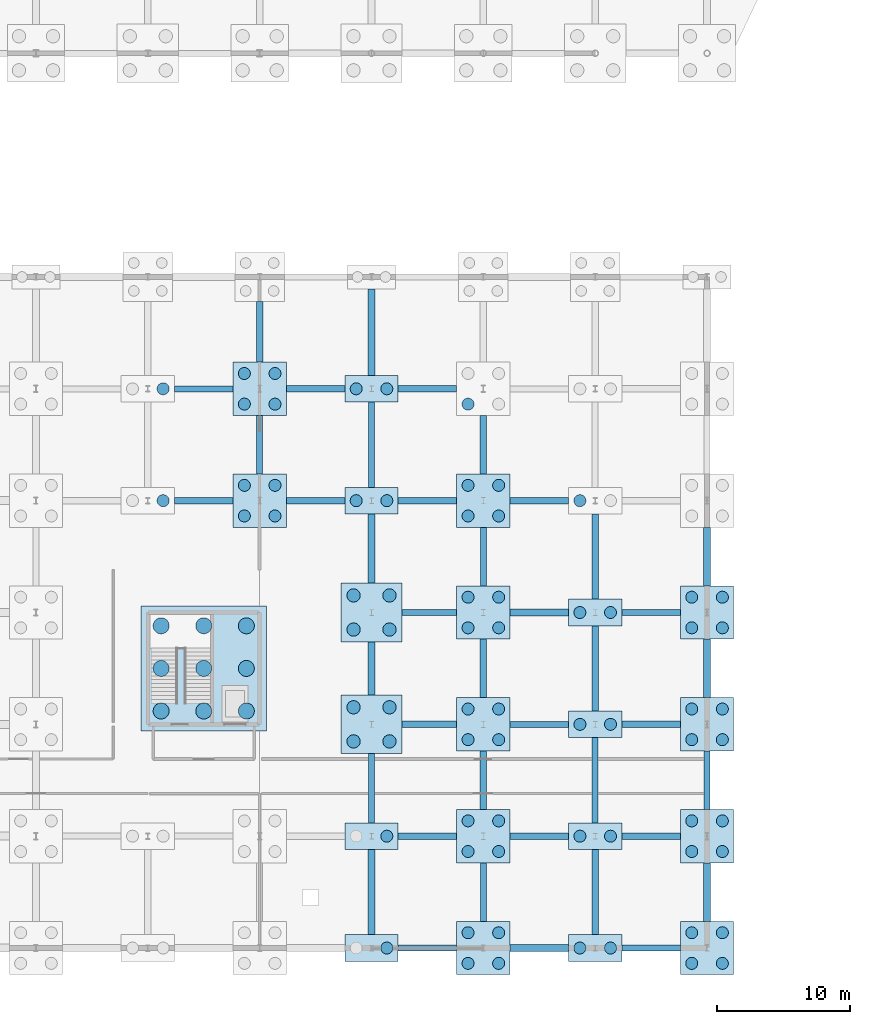
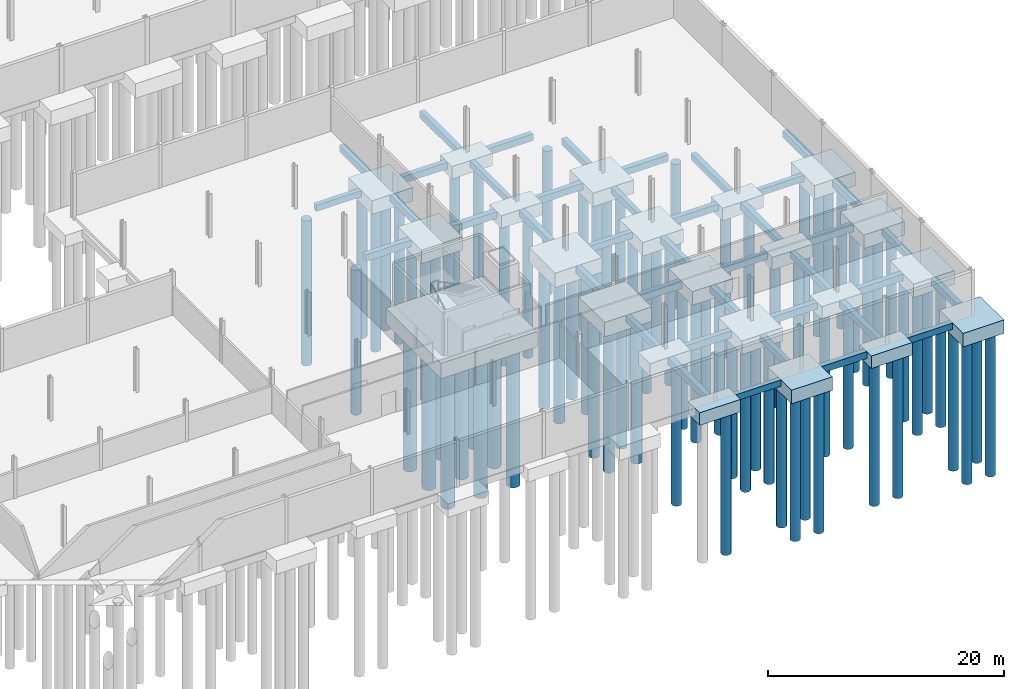
# One storey, part 9 of 51: 79 piles, 62 footings.
"""IFC4 building model written with IfcOpenShell, lengths in metres."""

import ifcopenshell
import ifcopenshell.guid

model = None  # the IFC model being written
_history = None  # IfcOwnerHistory: only IFC2X3 demands one
_inside = {}  # id of a spatial element -> (the spatial element, [elements in it])
_under = {}  # id of a project, library or spatial element -> (it, [spatial elements below it])
_declared = {}  # id of a project -> (the project, [libraries it declares])
_typed = {}  # id of a type object -> (the type object, [elements of that type])
_made_of = {}  # id of a material, layer set ... -> (it, [elements and type objects made of it])


def new_model(schema):
    """Start an empty IFC model of exactly this schema.

    Asked for "IFC4X3", IfcOpenShell would pick the latest addendum, in which some entities
    have other attributes; the version numbers below select the first issue.
    IFC2X3 requires an IfcOwnerHistory on every rooted entity: one is made here for all.
    """
    global model, _history
    if schema == "IFC4X3":
        model = ifcopenshell.file(schema_version=(4, 3, 0, 0))
    else:
        model = ifcopenshell.file(schema=schema)
    _inside.clear()
    _under.clear()
    _declared.clear()
    _typed.clear()
    _made_of.clear()
    _history = None
    if model.schema == "IFC2X3":
        org = make("IfcOrganization", Name="unknown")
        user = make(
            "IfcPersonAndOrganization",
            ThePerson=make("IfcPerson", FamilyName="unknown"),
            TheOrganization=org,
        )
        app = make(
            "IfcApplication",
            ApplicationDeveloper=org,
            Version="unknown",
            ApplicationFullName="unknown",
            ApplicationIdentifier="unknown",
        )
        _history = make(
            "IfcOwnerHistory",
            OwningUser=user,
            OwningApplication=app,
            ChangeAction="ADDED",
            CreationDate=0,
        )
    return model


def make(cls, **values):
    """One entity of the class cls with the attributes given. An attribute that is None is left unset."""
    return model.create_entity(
        cls, **{name: value for name, value in values.items() if value is not None}
    )


def rooted(cls, **values):
    """An entity with a GlobalId (a new one), such as an element, a storey or a relation."""
    return make(cls, GlobalId=ifcopenshell.guid.new(), OwnerHistory=_history, **values)


def si_unit(unit_type, name, prefix=None):
    """IfcSIUnit, for example si_unit("LENGTHUNIT", "METRE", prefix="MILLI")."""
    return make("IfcSIUnit", UnitType=unit_type, Prefix=prefix, Name=name)


def assignment(units):
    """IfcUnitAssignment: the units of a project."""
    return None if units is None else make("IfcUnitAssignment", Units=units)


def point(xyz):
    """IfcCartesianPoint."""
    return None if xyz is None else make("IfcCartesianPoint", Coordinates=xyz)


def direction(xyz):
    """IfcDirection."""
    return None if xyz is None else make("IfcDirection", DirectionRatios=xyz)


def frame(location, z_axis=None, x_axis=None):
    """IfcAxis2Placement3D, a coordinate frame: its origin and axes. An axis left out is left unset."""
    return make(
        "IfcAxis2Placement3D",
        Location=point(location),
        Axis=direction(z_axis),
        RefDirection=direction(x_axis),
    )


def frame_2d(location, x_axis=None):
    """IfcAxis2Placement2D, a coordinate frame in the plane: its origin and x axis."""
    return make(
        "IfcAxis2Placement2D", Location=point(location), RefDirection=direction(x_axis)
    )


def origin():
    """The frame at (0, 0, 0) with its axes left unset."""
    return frame((0.0, 0.0, 0.0))


def origin_2d():
    """The frame at (0, 0) in the plane with its x axis left unset."""
    return frame_2d((0.0, 0.0))


def place(relative_to, where):
    """IfcLocalPlacement: puts the frame where relative to a parent placement (None: the world)."""
    return make(
        "IfcLocalPlacement", PlacementRelTo=relative_to, RelativePlacement=where
    )


def context(
    kind, dimensions, precision=None, world=None, true_north=None, identifier=None
):
    """IfcGeometricRepresentationContext, for example the 3D "Model" context."""
    return make(
        "IfcGeometricRepresentationContext",
        ContextIdentifier=identifier,
        ContextType=kind,
        CoordinateSpaceDimension=dimensions,
        Precision=precision,
        WorldCoordinateSystem=world,
        TrueNorth=true_north,
    )


def subcontext(parent, identifier, kind, view, scale=None):
    """IfcGeometricRepresentationSubContext, for example "Body" below "Model"."""
    return make(
        "IfcGeometricRepresentationSubContext",
        ContextIdentifier=identifier,
        ContextType=kind,
        ParentContext=parent,
        TargetScale=scale,
        TargetView=view,
    )


def project(units=None, contexts=None):
    """IfcProject with its units and contexts."""
    return rooted(
        "IfcProject",
        Name="project",
        RepresentationContexts=contexts,
        UnitsInContext=assignment(units),
    )


def spatial(cls, under=None, at=None, **own):
    """A site, building, storey or space (cls), placed at a placement, below another one or the project."""
    s = rooted(cls, ObjectPlacement=at, **own)
    if under is not None:
        _under.setdefault(under.id(), (under, []))[1].append(s)
    return s


def profile(cls, at=None, kind="AREA", **sizes):
    """A parametric profile (cls). Its sizes go by their IFC names, for example OverallWidth=200.0."""
    return make(cls, ProfileType=kind, Position=at, **sizes)


def rectangle(**sizes):
    """IfcRectangleProfileDef."""
    return profile("IfcRectangleProfileDef", **sizes)


def circle(**sizes):
    """IfcCircleProfileDef."""
    return profile("IfcCircleProfileDef", **sizes)


def extrude(swept, where, along, depth):
    """IfcExtrudedAreaSolid: the profile swept, set in the frame where, extruded along a direction by depth."""
    return make(
        "IfcExtrudedAreaSolid",
        SweptArea=swept,
        Position=where,
        ExtrudedDirection=direction(along),
        Depth=depth,
    )


def shape(context_of_items, identifier, shape_type, items):
    """IfcShapeRepresentation: the items that make up one representation, for example the "Body"."""
    return make(
        "IfcShapeRepresentation",
        ContextOfItems=context_of_items,
        RepresentationIdentifier=identifier,
        RepresentationType=shape_type,
        Items=items,
    )


def material(Name=None, Category=None):
    """IfcMaterial."""
    return make("IfcMaterial", Name=Name, Category=Category)


def material_profile(
    of_material, cross_section, Name=None, Category=None, Priority=None
):
    """IfcMaterialProfile: a cross section and its material."""
    return make(
        "IfcMaterialProfile",
        Name=Name,
        Material=of_material,
        Profile=cross_section,
        Priority=Priority,
        Category=Category,
    )


def profile_set(profiles, Name=None, composite=None):
    """IfcMaterialProfileSet."""
    return make(
        "IfcMaterialProfileSet",
        Name=Name,
        MaterialProfiles=profiles,
        CompositeProfile=composite,
    )


def made_of(thing, what):
    """Note that an element or type object is made of a material, layer set ...; save() writes the relation."""
    if what is not None:
        _made_of.setdefault(what.id(), (what, []))[1].append(thing)
    return thing


def type_object(cls, material=None, **own):
    """A type object (cls), such as IfcWallType, which elements share."""
    return made_of(rooted(cls, **own), material)


def element(
    cls,
    number,
    at=None,
    inside=None,
    cuts=None,
    type_object=None,
    material=None,
    context=None,
    identifier="Body",
    shape_type=None,
    held_by="IfcProductDefinitionShape",
    body=None,
    shapes=None,
    **own,
):
    """One element of the class cls, such as IfcWall. Its Tag is "e" and its number.

    at: its placement. inside: the storey or other place that contains it. cuts: it is an
    opening in that element (IfcRelVoidsElement). A single representation is given by context,
    identifier, shape_type and body (its items); several are given by shapes. held_by: the class
    of the entity that holds the representations. save() writes the other relations.
    """
    e = rooted(cls, Tag="e%d" % number, ObjectPlacement=at, **own)
    if body is not None:
        shapes = [shape(context, identifier, shape_type, body)]
    if shapes is not None:
        e.Representation = make(held_by, Representations=shapes)
    if inside is not None:
        _inside.setdefault(inside.id(), (inside, []))[1].append(e)
    if cuts is not None:
        rooted(
            "IfcRelVoidsElement", RelatingBuildingElement=cuts, RelatedOpeningElement=e
        )
    if type_object is not None:
        _typed.setdefault(type_object.id(), (type_object, []))[1].append(e)
    return made_of(e, material)


def aggregate(whole, parts):
    """IfcRelAggregates: a whole, such as a stair, and the parts it consists of."""
    return rooted("IfcRelAggregates", RelatingObject=whole, RelatedObjects=parts)


def save(model, path):
    """Write the relations noted so far, then the file.

    IfcRelAggregates (storeys below a building ...), IfcRelContainedInSpatialStructure (elements
    in a storey), IfcRelDefinesByType, IfcRelAssociatesMaterial and IfcRelDeclares: one each for
    every whole, place, type object, material and project.
    """
    for whole, parts in _under.values():
        aggregate(whole, parts)
    for where, things in _inside.values():
        rooted(
            "IfcRelContainedInSpatialStructure",
            RelatedElements=things,
            RelatingStructure=where,
        )
    for kind, things in _typed.values():
        rooted("IfcRelDefinesByType", RelatedObjects=things, RelatingType=kind)
    for what, things in _made_of.values():
        rooted("IfcRelAssociatesMaterial", RelatedObjects=things, RelatingMaterial=what)
    for by, libraries in _declared.values():
        rooted("IfcRelDeclares", RelatingContext=by, RelatedDefinitions=libraries)
    model.write(path)


model = new_model("IFC4")

# Units and contexts
model_context = context("Model", 3, precision=1e-05, world=origin(), true_north=direction((0.0, 1.0)))
body_context = subcontext(model_context, "Body", "Model", "MODEL_VIEW")
ifc_project = project(units=[si_unit("LENGTHUNIT", "METRE"), si_unit("AREAUNIT", "SQUARE_METRE"), si_unit("VOLUMEUNIT", "CUBIC_METRE"), si_unit("PLANEANGLEUNIT", "RADIAN"), si_unit("MASSUNIT", "GRAM", prefix="KILO")], contexts=[model_context])

# Site, building, storey
site_placement = place(None, origin())
site = spatial("IfcSite", under=ifc_project, at=site_placement, CompositionType="ELEMENT")
building_placement = place(site_placement, origin())
building = spatial("IfcBuilding", under=site, at=building_placement, Name="Qalvenar Corner Mobility Hub", CompositionType="ELEMENT")
storey_placement = place(building_placement, frame((0.0, 0.0, -4.5)))
storey = spatial("IfcBuildingStorey", under=building, at=storey_placement, Name="B1", CompositionType="ELEMENT", Elevation=-4.5)

# Footings
ifc_material = material(Name="Concrete C40/50", Category="concrete")
footing_type_1 = type_object("IfcFootingType", Name="PC-32X24X13", PredefinedType="PILE_CAP", material=ifc_material)
for number, where, z_axis, x_axis, name in (
    (1, (142.800048828125, 0.0, -1.64990234375), (0.0, 0.0, 1.0), (1.0, 0.0, 0.0), "Pile Cap G18-0"),
    (2, (142.800048828125, 8.39990234375, -1.64990234375), (0.0, 0.0, 1.0), (1.0, 0.0, 0.0), "Pile Cap G18-1"),
    (3, (142.800048828125, 33.60009765625, -1.64990234375), (0.0, 0.0, 1.0), (1.0, 0.0, 0.0), "Pile Cap G18-4"),
    (4, (142.800048828125, 42.0, -1.64990234375), (0.0, 0.0, 1.0), (1.0, 0.0, 0.0), "Pile Cap G18-5"),
    (5, (159.60009765625, 0.0, -1.64990234375), (0.0, 0.0, 1.0), (1.0, 0.0, 0.0), "Pile Cap G20-0"),
    (6, (159.60009765625, 8.39990234375, -1.64990234375), (0.0, 0.0, 1.0), (1.0, 0.0, 0.0), "Pile Cap G20-1"),
    (7, (159.60009765625, 16.800048828125, -1.64990234375), (0.0, 0.0, 1.0), (1.0, 0.0, 0.0), "Pile Cap G20-2"),
    (8, (159.60009765625, 25.199951171875, -1.64990234375), (0.0, 0.0, 1.0), (1.0, 0.0, 0.0), "Pile Cap G20-3"),
):
    element("IfcFooting", number, at=place(storey_placement, frame(where, z_axis=z_axis, x_axis=x_axis)), inside=storey, type_object=footing_type_1, Name=name, PredefinedType="PILE_CAP", context=body_context, shape_type="SweptSolid", body=[
        extrude(rectangle(XDim=4.0, YDim=2.0, at=origin_2d()), origin(), (0.0, 0.0, 1.0), 1.300048828125),
    ])
footing_type_2 = type_object("IfcFootingType", Name="PC-34X34X14", PredefinedType="PILE_CAP", material=ifc_material)
for number, where, z_axis, x_axis, name in (
    (9, (134.39990234375, 33.60009765625, -1.75), (0.0, 0.0, 1.0), (1.0, 0.0, 0.0), "Pile Cap G17-4"),
    (10, (134.39990234375, 42.0, -1.75), (0.0, 0.0, 1.0), (1.0, 0.0, 0.0), "Pile Cap G17-5"),
    (11, (151.199951171875, 0.0, -1.75), (0.0, 0.0, 1.0), (1.0, 0.0, 0.0), "Pile Cap G19-0"),
    (12, (151.199951171875, 8.39990234375, -1.75), (0.0, 0.0, 1.0), (1.0, 0.0, 0.0), "Pile Cap G19-1"),
    (13, (151.199951171875, 16.800048828125, -1.75), (0.0, 0.0, 1.0), (1.0, 0.0, 0.0), "Pile Cap G19-2"),
    (14, (151.199951171875, 25.199951171875, -1.75), (0.0, 0.0, 1.0), (1.0, 0.0, 0.0), "Pile Cap G19-3"),
    (15, (151.199951171875, 33.60009765625, -1.75), (0.0, 0.0, 1.0), (1.0, 0.0, 0.0), "Pile Cap G19-4"),
    (16, (168.0, 0.0, -1.75), (0.0, 0.0, 1.0), (1.0, 0.0, 0.0), "Pile Cap G21-0"),
    (17, (168.0, 8.39990234375, -1.75), (0.0, 0.0, 1.0), (1.0, 0.0, 0.0), "Pile Cap G21-1"),
    (18, (168.0, 16.800048828125, -1.75), (0.0, 0.0, 1.0), (1.0, 0.0, 0.0), "Pile Cap G21-2"),
    (19, (168.0, 25.199951171875, -1.75), (0.0, 0.0, 1.0), (1.0, 0.0, 0.0), "Pile Cap G21-3"),
):
    element("IfcFooting", number, at=place(storey_placement, frame(where, z_axis=z_axis, x_axis=x_axis)), inside=storey, type_object=footing_type_2, Name=name, PredefinedType="PILE_CAP", context=body_context, shape_type="SweptSolid", body=[
        extrude(rectangle(XDim=4.0, YDim=4.0, at=origin_2d()), origin(), (0.0, 0.0, 1.0), 1.39990234375),
    ])
footing_type_3 = type_object("IfcFootingType", Name="PC-42X32X15", PredefinedType="PILE_CAP", material=ifc_material)
for number, where, z_axis, x_axis, name in (
    (20, (142.800048828125, 16.800048828125, -1.85009765625), (0.0, 0.0, 1.0), (1.0, 0.0, 0.0), "Pile Cap G18-2"),
    (21, (142.800048828125, 25.199951171875, -1.85009765625), (0.0, 0.0, 1.0), (1.0, 0.0, 0.0), "Pile Cap G18-3"),
):
    element("IfcFooting", number, at=place(storey_placement, frame(where, z_axis=z_axis, x_axis=x_axis)), inside=storey, type_object=footing_type_3, Name=name, PredefinedType="PILE_CAP", context=body_context, shape_type="SweptSolid", body=[
        extrude(rectangle(XDim=4.60009765625, YDim=4.39990234375, at=origin_2d()), origin(), (0.0, 0.0, 1.0), 1.5),
    ])
footing_type_4 = type_object("IfcFootingType", Name="PC-94X94X16", PredefinedType="PILE_CAP", material=ifc_material)
footing_1_placement = place(storey_placement, frame((130.199951171875, 21.0, -1.949951171875), z_axis=(0.0, 0.0, 1.0), x_axis=(1.0, 0.0, 0.0)))
element("IfcFooting", 22, at=footing_1_placement, inside=storey, type_object=footing_type_4, Name="Core Pile Cap C6", PredefinedType="PILE_CAP", context=body_context, shape_type="SweptSolid", body=[
    extrude(rectangle(XDim=9.39990234375, YDim=9.39990234375, at=origin_2d()), origin(), (0.0, 0.0, 1.0), 1.60009765625),
])

# Piles
ifc_material_profile_1 = material_profile(ifc_material, circle(Radius=0.5, at=origin_2d()), Name="DIA1000")
ifc_profile_set_1 = profile_set([ifc_material_profile_1], Name="Concrete C40/50")
pile_type_1 = type_object("IfcPileType", Name="PILE-1000", PredefinedType="BORED", material=ifc_profile_set_1)
for number, where, z_axis, x_axis, name in (
    (23, (141.449951171875, 15.52001953125, -1.699951171875), (0.0, 0.0, -1.0), (1.0, 0.0, 0.0), "Bored Pile G18-2-1"),
    (24, (141.449951171875, 18.080078125, -1.699951171875), (0.0, 0.0, -1.0), (1.0, 0.0, 0.0), "Bored Pile G18-2-2"),
    (25, (144.14990234375, 15.52001953125, -1.699951171875), (0.0, 0.0, -1.0), (1.0, 0.0, 0.0), "Bored Pile G18-2-3"),
    (26, (144.14990234375, 18.080078125, -1.699951171875), (0.0, 0.0, -1.0), (1.0, 0.0, 0.0), "Bored Pile G18-2-4"),
    (27, (141.449951171875, 23.919921875, -1.699951171875), (0.0, 0.0, -1.0), (1.0, 0.0, 0.0), "Bored Pile G18-3-1"),
    (28, (141.449951171875, 26.47998046875, -1.699951171875), (0.0, 0.0, -1.0), (1.0, 0.0, 0.0), "Bored Pile G18-3-2"),
    (29, (144.14990234375, 23.919921875, -1.699951171875), (0.0, 0.0, -1.0), (1.0, 0.0, 0.0), "Bored Pile G18-3-3"),
    (30, (144.14990234375, 26.47998046875, -1.699951171875), (0.0, 0.0, -1.0), (1.0, 0.0, 0.0), "Bored Pile G18-3-4"),
):
    element("IfcPile", number, at=place(storey_placement, frame(where, z_axis=z_axis, x_axis=x_axis)), inside=storey, type_object=pile_type_1, Name=name, PredefinedType="BORED", context=body_context, shape_type="SweptSolid", body=[
        extrude(circle(Radius=0.5, at=origin_2d()), origin(), (0.0, 0.0, 1.0), 14.800048828125),
    ])
ifc_material_profile_2 = material_profile(ifc_material, circle(Radius=0.60009765625, at=origin_2d()), Name="DIA1200")
ifc_profile_set_2 = profile_set([ifc_material_profile_2], Name="Concrete C40/50")
pile_type_2 = type_object("IfcPileType", Name="PILE-1200", PredefinedType="BORED", material=ifc_profile_set_2)
for number, where, z_axis, x_axis, name in (
    (31, (127.0, 17.800048828125, -1.800048828125), (0.0, 0.0, -1.0), (1.0, 0.0, 0.0), "Bored Pile C6-01"),
    (32, (127.0, 21.0, -1.800048828125), (0.0, 0.0, -1.0), (1.0, 0.0, 0.0), "Bored Pile C6-02"),
    (33, (127.0, 24.199951171875, -1.800048828125), (0.0, 0.0, -1.0), (1.0, 0.0, 0.0), "Bored Pile C6-03"),
    (34, (130.199951171875, 17.800048828125, -1.800048828125), (0.0, 0.0, -1.0), (1.0, 0.0, 0.0), "Bored Pile C6-04"),
    (35, (130.199951171875, 21.0, -1.800048828125), (0.0, 0.0, -1.0), (1.0, 0.0, 0.0), "Bored Pile C6-05"),
    (36, (130.199951171875, 24.199951171875, -1.800048828125), (0.0, 0.0, -1.0), (1.0, 0.0, 0.0), "Bored Pile C6-06"),
    (37, (133.39990234375, 17.800048828125, -1.800048828125), (0.0, 0.0, -1.0), (1.0, 0.0, 0.0), "Bored Pile C6-07"),
    (38, (133.39990234375, 21.0, -1.800048828125), (0.0, 0.0, -1.0), (1.0, 0.0, 0.0), "Bored Pile C6-08"),
    (39, (133.39990234375, 24.199951171875, -1.800048828125), (0.0, 0.0, -1.0), (1.0, 0.0, 0.0), "Bored Pile C6-09"),
):
    element("IfcPile", number, at=place(storey_placement, frame(where, z_axis=z_axis, x_axis=x_axis)), inside=storey, type_object=pile_type_2, Name=name, PredefinedType="BORED", context=body_context, shape_type="SweptSolid", body=[
        extrude(circle(Radius=0.60009765625, at=origin_2d()), origin(), (0.0, 0.0, 1.0), 14.699951171875),
    ])
ifc_material_profile_3 = material_profile(ifc_material, circle(Radius=0.449951171875, at=origin_2d()), Name="DIA900")
ifc_profile_set_3 = profile_set([ifc_material_profile_3], Name="Concrete C40/50")
pile_type_3 = type_object("IfcPileType", Name="PILE-900", PredefinedType="BORED", material=ifc_profile_set_3)
for number, where, z_axis, x_axis, name in (
    (40, (127.14990234375, 33.60009765625, -1.5), (0.0, 0.0, -1.0), (1.0, 0.0, 0.0), "Bored Pile G16-4-2"),
    (41, (127.14990234375, 42.0, -1.5), (0.0, 0.0, -1.0), (1.0, 0.0, 0.0), "Bored Pile G16-5-2"),
):
    element("IfcPile", number, at=place(storey_placement, frame(where, z_axis=z_axis, x_axis=x_axis)), inside=storey, type_object=pile_type_3, Name=name, PredefinedType="BORED", context=body_context, shape_type="SweptSolid", body=[
        extrude(circle(Radius=0.449951171875, at=origin_2d()), origin(), (0.0, 0.0, 1.0), 15.0),
    ])
for number, where, z_axis, x_axis, name in (
    (42, (133.25, 32.449951171875, -1.60009765625), (0.0, 0.0, -1.0), (1.0, 0.0, 0.0), "Bored Pile G17-4-1"),
    (43, (133.25, 34.75, -1.60009765625), (0.0, 0.0, -1.0), (1.0, 0.0, 0.0), "Bored Pile G17-4-2"),
    (44, (135.550048828125, 32.449951171875, -1.60009765625), (0.0, 0.0, -1.0), (1.0, 0.0, 0.0), "Bored Pile G17-4-3"),
    (45, (135.550048828125, 34.75, -1.60009765625), (0.0, 0.0, -1.0), (1.0, 0.0, 0.0), "Bored Pile G17-4-4"),
    (46, (133.25, 40.85009765625, -1.60009765625), (0.0, 0.0, -1.0), (1.0, 0.0, 0.0), "Bored Pile G17-5-1"),
    (47, (133.25, 43.14990234375, -1.60009765625), (0.0, 0.0, -1.0), (1.0, 0.0, 0.0), "Bored Pile G17-5-2"),
    (48, (135.550048828125, 40.85009765625, -1.60009765625), (0.0, 0.0, -1.0), (1.0, 0.0, 0.0), "Bored Pile G17-5-3"),
    (49, (135.550048828125, 43.14990234375, -1.60009765625), (0.0, 0.0, -1.0), (1.0, 0.0, 0.0), "Bored Pile G17-5-4"),
):
    element("IfcPile", number, at=place(storey_placement, frame(where, z_axis=z_axis, x_axis=x_axis)), inside=storey, type_object=pile_type_3, Name=name, PredefinedType="BORED", context=body_context, shape_type="SweptSolid", body=[
        extrude(circle(Radius=0.449951171875, at=origin_2d()), origin(), (0.0, 0.0, 1.0), 14.89990234375),
    ])
for number, where, z_axis, x_axis, name in (
    (50, (143.949951171875, 0.0, -1.5), (0.0, 0.0, -1.0), (1.0, 0.0, 0.0), "Bored Pile G18-0-2"),
    (51, (143.949951171875, 8.39990234375, -1.5), (0.0, 0.0, -1.0), (1.0, 0.0, 0.0), "Bored Pile G18-1-2"),
    (52, (141.64990234375, 33.60009765625, -1.5), (0.0, 0.0, -1.0), (1.0, 0.0, 0.0), "Bored Pile G18-4-1"),
    (53, (143.949951171875, 33.60009765625, -1.5), (0.0, 0.0, -1.0), (1.0, 0.0, 0.0), "Bored Pile G18-4-2"),
    (54, (141.64990234375, 42.0, -1.5), (0.0, 0.0, -1.0), (1.0, 0.0, 0.0), "Bored Pile G18-5-1"),
    (55, (143.949951171875, 42.0, -1.5), (0.0, 0.0, -1.0), (1.0, 0.0, 0.0), "Bored Pile G18-5-2"),
):
    element("IfcPile", number, at=place(storey_placement, frame(where, z_axis=z_axis, x_axis=x_axis)), inside=storey, type_object=pile_type_3, Name=name, PredefinedType="BORED", context=body_context, shape_type="SweptSolid", body=[
        extrude(circle(Radius=0.449951171875, at=origin_2d()), origin(), (0.0, 0.0, 1.0), 15.0),
    ])
for number, where, z_axis, x_axis, name in (
    (56, (150.050048828125, -1.14990234375, -1.60009765625), (0.0, 0.0, -1.0), (1.0, 0.0, 0.0), "Bored Pile G19-0-1"),
    (57, (150.050048828125, 1.14990234375, -1.60009765625), (0.0, 0.0, -1.0), (1.0, 0.0, 0.0), "Bored Pile G19-0-2"),
    (58, (152.35009765625, -1.14990234375, -1.60009765625), (0.0, 0.0, -1.0), (1.0, 0.0, 0.0), "Bored Pile G19-0-3"),
    (59, (152.35009765625, 1.14990234375, -1.60009765625), (0.0, 0.0, -1.0), (1.0, 0.0, 0.0), "Bored Pile G19-0-4"),
    (60, (150.050048828125, 7.25, -1.60009765625), (0.0, 0.0, -1.0), (1.0, 0.0, 0.0), "Bored Pile G19-1-1"),
    (61, (150.050048828125, 9.550048828125, -1.60009765625), (0.0, 0.0, -1.0), (1.0, 0.0, 0.0), "Bored Pile G19-1-2"),
    (62, (152.35009765625, 7.25, -1.60009765625), (0.0, 0.0, -1.0), (1.0, 0.0, 0.0), "Bored Pile G19-1-3"),
    (63, (152.35009765625, 9.550048828125, -1.60009765625), (0.0, 0.0, -1.0), (1.0, 0.0, 0.0), "Bored Pile G19-1-4"),
    (64, (150.050048828125, 15.64990234375, -1.60009765625), (0.0, 0.0, -1.0), (1.0, 0.0, 0.0), "Bored Pile G19-2-1"),
    (65, (150.050048828125, 17.949951171875, -1.60009765625), (0.0, 0.0, -1.0), (1.0, 0.0, 0.0), "Bored Pile G19-2-2"),
    (66, (152.35009765625, 15.64990234375, -1.60009765625), (0.0, 0.0, -1.0), (1.0, 0.0, 0.0), "Bored Pile G19-2-3"),
    (67, (152.35009765625, 17.949951171875, -1.60009765625), (0.0, 0.0, -1.0), (1.0, 0.0, 0.0), "Bored Pile G19-2-4"),
    (68, (150.050048828125, 24.050048828125, -1.60009765625), (0.0, 0.0, -1.0), (1.0, 0.0, 0.0), "Bored Pile G19-3-1"),
    (69, (150.050048828125, 26.35009765625, -1.60009765625), (0.0, 0.0, -1.0), (1.0, 0.0, 0.0), "Bored Pile G19-3-2"),
    (70, (152.35009765625, 24.050048828125, -1.60009765625), (0.0, 0.0, -1.0), (1.0, 0.0, 0.0), "Bored Pile G19-3-3"),
    (71, (152.35009765625, 26.35009765625, -1.60009765625), (0.0, 0.0, -1.0), (1.0, 0.0, 0.0), "Bored Pile G19-3-4"),
    (72, (150.050048828125, 32.449951171875, -1.60009765625), (0.0, 0.0, -1.0), (1.0, 0.0, 0.0), "Bored Pile G19-4-1"),
    (73, (150.050048828125, 34.75, -1.60009765625), (0.0, 0.0, -1.0), (1.0, 0.0, 0.0), "Bored Pile G19-4-2"),
    (74, (152.35009765625, 32.449951171875, -1.60009765625), (0.0, 0.0, -1.0), (1.0, 0.0, 0.0), "Bored Pile G19-4-3"),
    (75, (152.35009765625, 34.75, -1.60009765625), (0.0, 0.0, -1.0), (1.0, 0.0, 0.0), "Bored Pile G19-4-4"),
    (76, (150.050048828125, 40.85009765625, -1.60009765625), (0.0, 0.0, -1.0), (1.0, 0.0, 0.0), "Bored Pile G19-5-1"),
):
    element("IfcPile", number, at=place(storey_placement, frame(where, z_axis=z_axis, x_axis=x_axis)), inside=storey, type_object=pile_type_3, Name=name, PredefinedType="BORED", context=body_context, shape_type="SweptSolid", body=[
        extrude(circle(Radius=0.449951171875, at=origin_2d()), origin(), (0.0, 0.0, 1.0), 14.89990234375),
    ])
for number, where, z_axis, x_axis, name in (
    (77, (158.449951171875, 0.0, -1.5), (0.0, 0.0, -1.0), (1.0, 0.0, 0.0), "Bored Pile G20-0-1"),
    (78, (160.75, 0.0, -1.5), (0.0, 0.0, -1.0), (1.0, 0.0, 0.0), "Bored Pile G20-0-2"),
    (79, (158.449951171875, 8.39990234375, -1.5), (0.0, 0.0, -1.0), (1.0, 0.0, 0.0), "Bored Pile G20-1-1"),
    (80, (160.75, 8.39990234375, -1.5), (0.0, 0.0, -1.0), (1.0, 0.0, 0.0), "Bored Pile G20-1-2"),
    (81, (158.449951171875, 16.800048828125, -1.5), (0.0, 0.0, -1.0), (1.0, 0.0, 0.0), "Bored Pile G20-2-1"),
    (82, (160.75, 16.800048828125, -1.5), (0.0, 0.0, -1.0), (1.0, 0.0, 0.0), "Bored Pile G20-2-2"),
    (83, (158.449951171875, 25.199951171875, -1.5), (0.0, 0.0, -1.0), (1.0, 0.0, 0.0), "Bored Pile G20-3-1"),
    (84, (160.75, 25.199951171875, -1.5), (0.0, 0.0, -1.0), (1.0, 0.0, 0.0), "Bored Pile G20-3-2"),
    (85, (158.449951171875, 33.60009765625, -1.5), (0.0, 0.0, -1.0), (1.0, 0.0, 0.0), "Bored Pile G20-4-1"),
):
    element("IfcPile", number, at=place(storey_placement, frame(where, z_axis=z_axis, x_axis=x_axis)), inside=storey, type_object=pile_type_3, Name=name, PredefinedType="BORED", context=body_context, shape_type="SweptSolid", body=[
        extrude(circle(Radius=0.449951171875, at=origin_2d()), origin(), (0.0, 0.0, 1.0), 15.0),
    ])
for number, where, z_axis, x_axis, name in (
    (86, (166.85009765625, -1.14990234375, -1.60009765625), (0.0, 0.0, -1.0), (1.0, 0.0, 0.0), "Bored Pile G21-0-1"),
    (87, (166.85009765625, 1.14990234375, -1.60009765625), (0.0, 0.0, -1.0), (1.0, 0.0, 0.0), "Bored Pile G21-0-2"),
    (88, (169.14990234375, -1.14990234375, -1.60009765625), (0.0, 0.0, -1.0), (1.0, 0.0, 0.0), "Bored Pile G21-0-3"),
    (89, (169.14990234375, 1.14990234375, -1.60009765625), (0.0, 0.0, -1.0), (1.0, 0.0, 0.0), "Bored Pile G21-0-4"),
    (90, (166.85009765625, 7.25, -1.60009765625), (0.0, 0.0, -1.0), (1.0, 0.0, 0.0), "Bored Pile G21-1-1"),
    (91, (166.85009765625, 9.550048828125, -1.60009765625), (0.0, 0.0, -1.0), (1.0, 0.0, 0.0), "Bored Pile G21-1-2"),
    (92, (169.14990234375, 7.25, -1.60009765625), (0.0, 0.0, -1.0), (1.0, 0.0, 0.0), "Bored Pile G21-1-3"),
    (93, (169.14990234375, 9.550048828125, -1.60009765625), (0.0, 0.0, -1.0), (1.0, 0.0, 0.0), "Bored Pile G21-1-4"),
    (94, (166.85009765625, 15.64990234375, -1.60009765625), (0.0, 0.0, -1.0), (1.0, 0.0, 0.0), "Bored Pile G21-2-1"),
    (95, (166.85009765625, 17.949951171875, -1.60009765625), (0.0, 0.0, -1.0), (1.0, 0.0, 0.0), "Bored Pile G21-2-2"),
    (96, (169.14990234375, 15.64990234375, -1.60009765625), (0.0, 0.0, -1.0), (1.0, 0.0, 0.0), "Bored Pile G21-2-3"),
    (97, (169.14990234375, 17.949951171875, -1.60009765625), (0.0, 0.0, -1.0), (1.0, 0.0, 0.0), "Bored Pile G21-2-4"),
    (98, (166.85009765625, 24.050048828125, -1.60009765625), (0.0, 0.0, -1.0), (1.0, 0.0, 0.0), "Bored Pile G21-3-1"),
    (99, (166.85009765625, 26.35009765625, -1.60009765625), (0.0, 0.0, -1.0), (1.0, 0.0, 0.0), "Bored Pile G21-3-2"),
    (100, (169.14990234375, 24.050048828125, -1.60009765625), (0.0, 0.0, -1.0), (1.0, 0.0, 0.0), "Bored Pile G21-3-3"),
    (101, (169.14990234375, 26.35009765625, -1.60009765625), (0.0, 0.0, -1.0), (1.0, 0.0, 0.0), "Bored Pile G21-3-4"),
):
    element("IfcPile", number, at=place(storey_placement, frame(where, z_axis=z_axis, x_axis=x_axis)), inside=storey, type_object=pile_type_3, Name=name, PredefinedType="BORED", context=body_context, shape_type="SweptSolid", body=[
        extrude(circle(Radius=0.449951171875, at=origin_2d()), origin(), (0.0, 0.0, 1.0), 14.89990234375),
    ])

# Footings
ifc_material_profile_4 = material_profile(ifc_material, rectangle(XDim=0.449951171875, YDim=0.64990234375, at=origin_2d()), Name="RC450x650")
ifc_profile_set_4 = profile_set([ifc_material_profile_4], Name="Concrete C40/50")
footing_type_5 = type_object("IfcFootingType", Name="TB-450X650", PredefinedType="FOOTING_BEAM", material=ifc_profile_set_4)
for number, where, z_axis, x_axis, name in (
    (102, (128.0, 42.0, -0.675048828125), (1.0, 0.0, 0.0), (0.0, 1.0, 0.0), "Foundation Tie Beam TB-279"),
    (103, (134.39990234375, 35.60009765625, -0.675048828125), (0.0, 1.0, 0.0), (-1.0, 0.0, 0.0), "Foundation Tie Beam TB-297"),
    (104, (144.800048828125, 0.0, -0.675048828125), (1.0, 0.0, 0.0), (0.0, 1.0, 0.0), "Foundation Tie Beam TB-309"),
):
    element("IfcFooting", number, at=place(storey_placement, frame(where, z_axis=z_axis, x_axis=x_axis)), inside=storey, type_object=footing_type_5, Name=name, PredefinedType="FOOTING_BEAM", context=body_context, shape_type="SweptSolid", body=[
        extrude(rectangle(XDim=0.449951171875, YDim=0.64990234375, at=origin_2d()), origin(), (0.0, 0.0, 1.0), 4.39990234375),
    ])
footing_2_placement = place(storey_placement, frame((142.800048828125, 9.39990234375, -0.675048828125), z_axis=(0.0, 1.0, 0.0), x_axis=(-1.0, 0.0, 0.0)))
element("IfcFooting", 105, at=footing_2_placement, inside=storey, type_object=footing_type_5, Name="Foundation Tie Beam TB-312", PredefinedType="FOOTING_BEAM", context=body_context, shape_type="SweptSolid", body=[
    extrude(rectangle(XDim=0.449951171875, YDim=0.64990234375, at=origin_2d()), origin(), (0.0, 0.0, 1.0), 5.2001953125),
])
footing_3_placement = place(storey_placement, frame((145.10009765625, 25.199951171875, -0.675048828125), z_axis=(1.0, 0.0, 0.0), x_axis=(0.0, 1.0, 0.0)))
element("IfcFooting", 106, at=footing_3_placement, inside=storey, type_object=footing_type_5, Name="Foundation Tie Beam TB-315", PredefinedType="FOOTING_BEAM", context=body_context, shape_type="SweptSolid", body=[
    extrude(rectangle(XDim=0.449951171875, YDim=0.64990234375, at=origin_2d()), origin(), (0.0, 0.0, 1.0), 4.099853515625),
])
footing_4_placement = place(storey_placement, frame((142.800048828125, 34.60009765625, -0.675048828125), z_axis=(0.0, 1.0, 0.0), x_axis=(-1.0, 0.0, 0.0)))
element("IfcFooting", 107, at=footing_4_placement, inside=storey, type_object=footing_type_5, Name="Foundation Tie Beam TB-318", PredefinedType="FOOTING_BEAM", context=body_context, shape_type="SweptSolid", body=[
    extrude(rectangle(XDim=0.449951171875, YDim=0.64990234375, at=origin_2d()), origin(), (0.0, 0.0, 1.0), 6.39990234375),
])
footing_5_placement = place(storey_placement, frame((151.199951171875, 2.0, -0.675048828125), z_axis=(0.0, 1.0, 0.0), x_axis=(-1.0, 0.0, 0.0)))
element("IfcFooting", 108, at=footing_5_placement, inside=storey, type_object=footing_type_5, Name="Foundation Tie Beam TB-330", PredefinedType="FOOTING_BEAM", context=body_context, shape_type="SweptSolid", body=[
    extrude(rectangle(XDim=0.449951171875, YDim=0.64990234375, at=origin_2d()), origin(), (0.0, 0.0, 1.0), 4.39990234375),
])
for number, where, z_axis, x_axis, name in (
    (109, (153.199951171875, 16.800048828125, -0.675048828125), (1.0, 0.0, 0.0), (0.0, 1.0, 0.0), "Foundation Tie Beam TB-333"),
    (110, (151.199951171875, 27.199951171875, -0.675048828125), (0.0, 1.0, 0.0), (-1.0, 0.0, 0.0), "Foundation Tie Beam TB-336"),
):
    element("IfcFooting", number, at=place(storey_placement, frame(where, z_axis=z_axis, x_axis=x_axis)), inside=storey, type_object=footing_type_5, Name=name, PredefinedType="FOOTING_BEAM", context=body_context, shape_type="SweptSolid", body=[
        extrude(rectangle(XDim=0.449951171875, YDim=0.64990234375, at=origin_2d()), origin(), (0.0, 0.0, 1.0), 4.400146484375),
    ])
footing_6_placement = place(storey_placement, frame((161.60009765625, 0.0, -0.675048828125), z_axis=(1.0, 0.0, 0.0), x_axis=(0.0, 1.0, 0.0)))
element("IfcFooting", 111, at=footing_6_placement, inside=storey, type_object=footing_type_5, Name="Foundation Tie Beam TB-348", PredefinedType="FOOTING_BEAM", context=body_context, shape_type="SweptSolid", body=[
    extrude(rectangle(XDim=0.449951171875, YDim=0.64990234375, at=origin_2d()), origin(), (0.0, 0.0, 1.0), 4.39990234375),
])
footing_7_placement = place(storey_placement, frame((159.60009765625, 9.39990234375, -0.675048828125), z_axis=(0.0, 1.0, 0.0), x_axis=(-1.0, 0.0, 0.0)))
element("IfcFooting", 112, at=footing_7_placement, inside=storey, type_object=footing_type_5, Name="Foundation Tie Beam TB-351", PredefinedType="FOOTING_BEAM", context=body_context, shape_type="SweptSolid", body=[
    extrude(rectangle(XDim=0.449951171875, YDim=0.64990234375, at=origin_2d()), origin(), (0.0, 0.0, 1.0), 6.400146484375),
])
footing_8_placement = place(storey_placement, frame((161.60009765625, 25.199951171875, -0.675048828125), z_axis=(1.0, 0.0, 0.0), x_axis=(0.0, 1.0, 0.0)))
element("IfcFooting", 113, at=footing_8_placement, inside=storey, type_object=footing_type_5, Name="Foundation Tie Beam TB-354", PredefinedType="FOOTING_BEAM", context=body_context, shape_type="SweptSolid", body=[
    extrude(rectangle(XDim=0.449951171875, YDim=0.64990234375, at=origin_2d()), origin(), (0.0, 0.0, 1.0), 4.39990234375),
])
footing_9_placement = place(storey_placement, frame((168.0, 10.39990234375, -0.675048828125), z_axis=(0.0, 1.0, 0.0), x_axis=(-1.0, 0.0, 0.0)))
element("IfcFooting", 114, at=footing_9_placement, inside=storey, type_object=footing_type_5, Name="Foundation Tie Beam TB-375", PredefinedType="FOOTING_BEAM", context=body_context, shape_type="SweptSolid", body=[
    extrude(rectangle(XDim=0.449951171875, YDim=0.64990234375, at=origin_2d()), origin(), (0.0, 0.0, 1.0), 4.400146484375),
])
ifc_material_profile_5 = material_profile(ifc_material, rectangle(XDim=0.5, YDim=0.699951171875, at=origin_2d()), Name="RC500x700")
ifc_profile_set_5 = profile_set([ifc_material_profile_5], Name="Concrete C40/50")
footing_type_6 = type_object("IfcFootingType", Name="TB-500X700", PredefinedType="FOOTING_BEAM", material=ifc_profile_set_5)
footing_10_placement = place(storey_placement, frame((128.0, 33.60009765625, -0.699951171875), z_axis=(1.0, 0.0, 0.0), x_axis=(0.0, 1.0, 0.0)))
element("IfcFooting", 115, at=footing_10_placement, inside=storey, type_object=footing_type_6, Name="Foundation Tie Beam TB-277", PredefinedType="FOOTING_BEAM", context=body_context, shape_type="SweptSolid", body=[
    extrude(rectangle(XDim=0.5, YDim=0.699951171875, at=origin_2d()), origin(), (0.0, 0.0, 1.0), 4.39990234375),
])
for number, where, z_axis, x_axis, name in (
    (116, (136.39990234375, 33.60009765625, -0.699951171875), (1.0, 0.0, 0.0), (0.0, 1.0, 0.0), "Foundation Tie Beam TB-296"),
    (117, (136.39990234375, 42.0, -0.699951171875), (1.0, 0.0, 0.0), (0.0, 1.0, 0.0), "Foundation Tie Beam TB-298"),
):
    element("IfcFooting", number, at=place(storey_placement, frame(where, z_axis=z_axis, x_axis=x_axis)), inside=storey, type_object=footing_type_6, Name=name, PredefinedType="FOOTING_BEAM", context=body_context, shape_type="SweptSolid", body=[
        extrude(rectangle(XDim=0.5, YDim=0.699951171875, at=origin_2d()), origin(), (0.0, 0.0, 1.0), 4.400146484375),
    ])
footing_11_placement = place(storey_placement, frame((134.39990234375, 44.0, -0.699951171875), z_axis=(0.0, 1.0, 0.0), x_axis=(-1.0, 0.0, 0.0)))
element("IfcFooting", 118, at=footing_11_placement, inside=storey, type_object=footing_type_6, Name="Foundation Tie Beam TB-299", PredefinedType="FOOTING_BEAM", context=body_context, shape_type="SweptSolid", body=[
    extrude(rectangle(XDim=0.5, YDim=0.699951171875, at=origin_2d()), origin(), (0.0, 0.0, 1.0), 4.550048828125),
])
footing_12_placement = place(storey_placement, frame((142.800048828125, 1.0, -0.699951171875), z_axis=(0.0, 1.0, 0.0), x_axis=(-1.0, 0.0, 0.0)))
element("IfcFooting", 119, at=footing_12_placement, inside=storey, type_object=footing_type_6, Name="Foundation Tie Beam TB-310", PredefinedType="FOOTING_BEAM", context=body_context, shape_type="SweptSolid", body=[
    extrude(rectangle(XDim=0.5, YDim=0.699951171875, at=origin_2d()), origin(), (0.0, 0.0, 1.0), 6.39990234375),
])
footing_13_placement = place(storey_placement, frame((144.800048828125, 8.39990234375, -0.699951171875), z_axis=(1.0, 0.0, 0.0), x_axis=(0.0, 1.0, 0.0)))
element("IfcFooting", 120, at=footing_13_placement, inside=storey, type_object=footing_type_6, Name="Foundation Tie Beam TB-311", PredefinedType="FOOTING_BEAM", context=body_context, shape_type="SweptSolid", body=[
    extrude(rectangle(XDim=0.5, YDim=0.699951171875, at=origin_2d()), origin(), (0.0, 0.0, 1.0), 4.39990234375),
])
footing_14_placement = place(storey_placement, frame((145.10009765625, 16.800048828125, -0.699951171875), z_axis=(1.0, 0.0, 0.0), x_axis=(0.0, 1.0, 0.0)))
element("IfcFooting", 121, at=footing_14_placement, inside=storey, type_object=footing_type_6, Name="Foundation Tie Beam TB-313", PredefinedType="FOOTING_BEAM", context=body_context, shape_type="SweptSolid", body=[
    extrude(rectangle(XDim=0.5, YDim=0.699951171875, at=origin_2d()), origin(), (0.0, 0.0, 1.0), 4.099853515625),
])
footing_15_placement = place(storey_placement, frame((142.800048828125, 19.0, -0.699951171875), z_axis=(0.0, 1.0, 0.0), x_axis=(-1.0, 0.0, 0.0)))
element("IfcFooting", 122, at=footing_15_placement, inside=storey, type_object=footing_type_6, Name="Foundation Tie Beam TB-314", PredefinedType="FOOTING_BEAM", context=body_context, shape_type="SweptSolid", body=[
    extrude(rectangle(XDim=0.5, YDim=0.699951171875, at=origin_2d()), origin(), (0.0, 0.0, 1.0), 4.0),
])
footing_16_placement = place(storey_placement, frame((142.800048828125, 27.39990234375, -0.699951171875), z_axis=(0.0, 1.0, 0.0), x_axis=(-1.0, 0.0, 0.0)))
element("IfcFooting", 123, at=footing_16_placement, inside=storey, type_object=footing_type_6, Name="Foundation Tie Beam TB-316", PredefinedType="FOOTING_BEAM", context=body_context, shape_type="SweptSolid", body=[
    extrude(rectangle(XDim=0.5, YDim=0.699951171875, at=origin_2d()), origin(), (0.0, 0.0, 1.0), 5.2001953125),
])
for number, where, z_axis, x_axis, name in (
    (124, (144.800048828125, 33.60009765625, -0.699951171875), (1.0, 0.0, 0.0), (0.0, 1.0, 0.0), "Foundation Tie Beam TB-317"),
    (125, (144.800048828125, 42.0, -0.699951171875), (1.0, 0.0, 0.0), (0.0, 1.0, 0.0), "Foundation Tie Beam TB-319"),
):
    element("IfcFooting", number, at=place(storey_placement, frame(where, z_axis=z_axis, x_axis=x_axis)), inside=storey, type_object=footing_type_6, Name=name, PredefinedType="FOOTING_BEAM", context=body_context, shape_type="SweptSolid", body=[
        extrude(rectangle(XDim=0.5, YDim=0.699951171875, at=origin_2d()), origin(), (0.0, 0.0, 1.0), 4.39990234375),
    ])
footing_17_placement = place(storey_placement, frame((142.800048828125, 43.0, -0.699951171875), z_axis=(0.0, 1.0, 0.0), x_axis=(-1.0, 0.0, 0.0)))
element("IfcFooting", 126, at=footing_17_placement, inside=storey, type_object=footing_type_6, Name="Foundation Tie Beam TB-320", PredefinedType="FOOTING_BEAM", context=body_context, shape_type="SweptSolid", body=[
    extrude(rectangle(XDim=0.5, YDim=0.699951171875, at=origin_2d()), origin(), (0.0, 0.0, 1.0), 6.5),
])
for number, where, z_axis, x_axis, name in (
    (127, (153.199951171875, 0.0, -0.699951171875), (1.0, 0.0, 0.0), (0.0, 1.0, 0.0), "Foundation Tie Beam TB-329"),
    (128, (153.199951171875, 8.39990234375, -0.699951171875), (1.0, 0.0, 0.0), (0.0, 1.0, 0.0), "Foundation Tie Beam TB-331"),
    (129, (151.199951171875, 10.39990234375, -0.699951171875), (0.0, 1.0, 0.0), (-1.0, 0.0, 0.0), "Foundation Tie Beam TB-332"),
):
    element("IfcFooting", number, at=place(storey_placement, frame(where, z_axis=z_axis, x_axis=x_axis)), inside=storey, type_object=footing_type_6, Name=name, PredefinedType="FOOTING_BEAM", context=body_context, shape_type="SweptSolid", body=[
        extrude(rectangle(XDim=0.5, YDim=0.699951171875, at=origin_2d()), origin(), (0.0, 0.0, 1.0), 4.400146484375),
    ])
footing_18_placement = place(storey_placement, frame((151.199951171875, 18.800048828125, -0.699951171875), z_axis=(0.0, 1.0, 0.0), x_axis=(-1.0, 0.0, 0.0)))
element("IfcFooting", 130, at=footing_18_placement, inside=storey, type_object=footing_type_6, Name="Foundation Tie Beam TB-334", PredefinedType="FOOTING_BEAM", context=body_context, shape_type="SweptSolid", body=[
    extrude(rectangle(XDim=0.5, YDim=0.699951171875, at=origin_2d()), origin(), (0.0, 0.0, 1.0), 4.39990234375),
])
for number, where, z_axis, x_axis, name in (
    (131, (153.199951171875, 25.199951171875, -0.699951171875), (1.0, 0.0, 0.0), (0.0, 1.0, 0.0), "Foundation Tie Beam TB-335"),
    (132, (153.199951171875, 33.60009765625, -0.699951171875), (1.0, 0.0, 0.0), (0.0, 1.0, 0.0), "Foundation Tie Beam TB-337"),
):
    element("IfcFooting", number, at=place(storey_placement, frame(where, z_axis=z_axis, x_axis=x_axis)), inside=storey, type_object=footing_type_6, Name=name, PredefinedType="FOOTING_BEAM", context=body_context, shape_type="SweptSolid", body=[
        extrude(rectangle(XDim=0.5, YDim=0.699951171875, at=origin_2d()), origin(), (0.0, 0.0, 1.0), 4.400146484375),
    ])
footing_19_placement = place(storey_placement, frame((151.199951171875, 35.60009765625, -0.699951171875), z_axis=(0.0, 1.0, 0.0), x_axis=(-1.0, 0.0, 0.0)))
element("IfcFooting", 133, at=footing_19_placement, inside=storey, type_object=footing_type_6, Name="Foundation Tie Beam TB-338", PredefinedType="FOOTING_BEAM", context=body_context, shape_type="SweptSolid", body=[
    extrude(rectangle(XDim=0.5, YDim=0.699951171875, at=origin_2d()), origin(), (0.0, 0.0, 1.0), 4.39990234375),
])
footing_20_placement = place(storey_placement, frame((159.60009765625, 1.0, -0.699951171875), z_axis=(0.0, 1.0, 0.0), x_axis=(-1.0, 0.0, 0.0)))
element("IfcFooting", 134, at=footing_20_placement, inside=storey, type_object=footing_type_6, Name="Foundation Tie Beam TB-349", PredefinedType="FOOTING_BEAM", context=body_context, shape_type="SweptSolid", body=[
    extrude(rectangle(XDim=0.5, YDim=0.699951171875, at=origin_2d()), origin(), (0.0, 0.0, 1.0), 6.39990234375),
])
for number, where, z_axis, x_axis, name in (
    (135, (161.60009765625, 8.39990234375, -0.699951171875), (1.0, 0.0, 0.0), (0.0, 1.0, 0.0), "Foundation Tie Beam TB-350"),
    (136, (161.60009765625, 16.800048828125, -0.699951171875), (1.0, 0.0, 0.0), (0.0, 1.0, 0.0), "Foundation Tie Beam TB-352"),
):
    element("IfcFooting", number, at=place(storey_placement, frame(where, z_axis=z_axis, x_axis=x_axis)), inside=storey, type_object=footing_type_6, Name=name, PredefinedType="FOOTING_BEAM", context=body_context, shape_type="SweptSolid", body=[
        extrude(rectangle(XDim=0.5, YDim=0.699951171875, at=origin_2d()), origin(), (0.0, 0.0, 1.0), 4.39990234375),
    ])
footing_21_placement = place(storey_placement, frame((159.60009765625, 17.800048828125, -0.699951171875), z_axis=(0.0, 1.0, 0.0), x_axis=(-1.0, 0.0, 0.0)))
element("IfcFooting", 137, at=footing_21_placement, inside=storey, type_object=footing_type_6, Name="Foundation Tie Beam TB-353", PredefinedType="FOOTING_BEAM", context=body_context, shape_type="SweptSolid", body=[
    extrude(rectangle(XDim=0.5, YDim=0.699951171875, at=origin_2d()), origin(), (0.0, 0.0, 1.0), 6.39990234375),
])
footing_22_placement = place(storey_placement, frame((159.60009765625, 26.199951171875, -0.699951171875), z_axis=(0.0, 1.0, 0.0), x_axis=(-1.0, 0.0, 0.0)))
element("IfcFooting", 138, at=footing_22_placement, inside=storey, type_object=footing_type_6, Name="Foundation Tie Beam TB-355", PredefinedType="FOOTING_BEAM", context=body_context, shape_type="SweptSolid", body=[
    extrude(rectangle(XDim=0.5, YDim=0.699951171875, at=origin_2d()), origin(), (0.0, 0.0, 1.0), 6.400146484375),
])
for number, where, z_axis, x_axis, name in (
    (139, (168.0, 2.0, -0.699951171875), (0.0, 1.0, 0.0), (-1.0, 0.0, 0.0), "Foundation Tie Beam TB-374"),
    (140, (168.0, 18.800048828125, -0.699951171875), (0.0, 1.0, 0.0), (-1.0, 0.0, 0.0), "Foundation Tie Beam TB-376"),
):
    element("IfcFooting", number, at=place(storey_placement, frame(where, z_axis=z_axis, x_axis=x_axis)), inside=storey, type_object=footing_type_6, Name=name, PredefinedType="FOOTING_BEAM", context=body_context, shape_type="SweptSolid", body=[
        extrude(rectangle(XDim=0.5, YDim=0.699951171875, at=origin_2d()), origin(), (0.0, 0.0, 1.0), 4.39990234375),
    ])
footing_23_placement = place(storey_placement, frame((168.0, 27.199951171875, -0.699951171875), z_axis=(0.0, 1.0, 0.0), x_axis=(-1.0, 0.0, 0.0)))
element("IfcFooting", 141, at=footing_23_placement, inside=storey, type_object=footing_type_6, Name="Foundation Tie Beam TB-377", PredefinedType="FOOTING_BEAM", context=body_context, shape_type="SweptSolid", body=[
    extrude(rectangle(XDim=0.5, YDim=0.699951171875, at=origin_2d()), origin(), (0.0, 0.0, 1.0), 4.400146484375),
])

save(model, "model.ifc")
